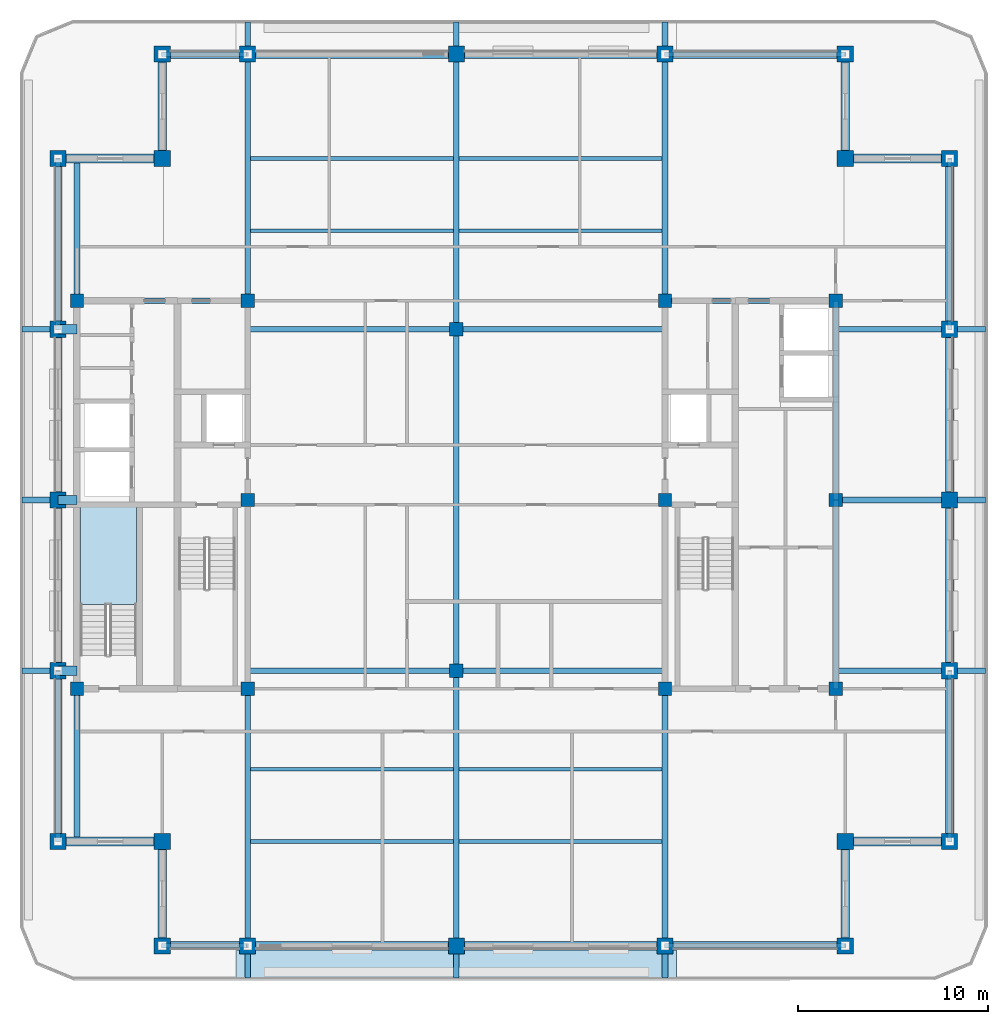
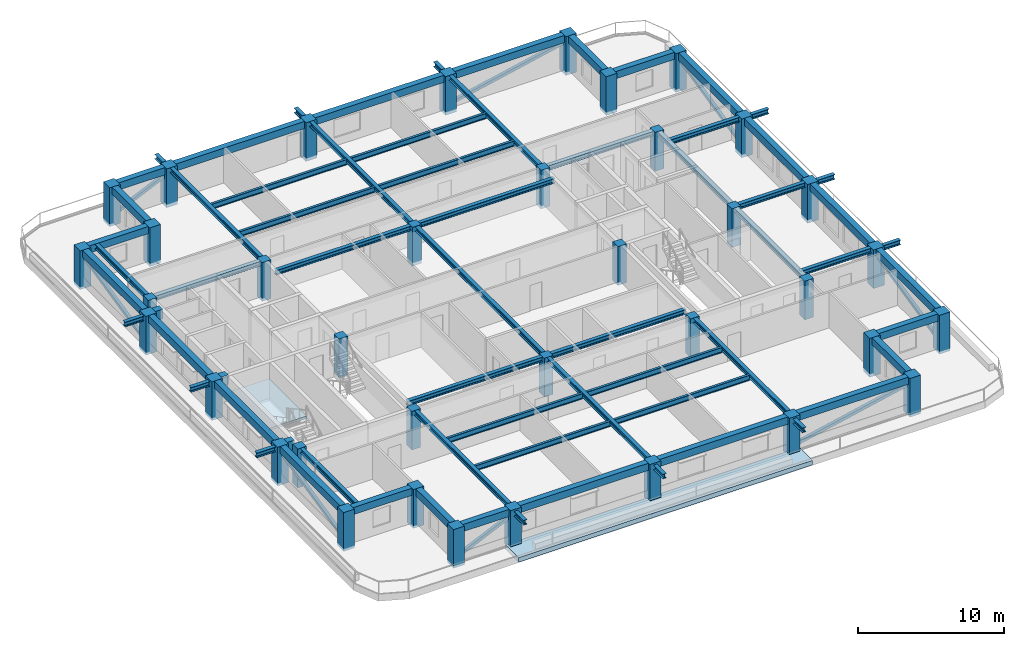
# One storey, part 1 of 11: 67 beams, 37 columns, 8 members, 2 slabs, 1 element without a shape of its own.
"""IFC4 building model written with IfcOpenShell, lengths in metres."""

import ifcopenshell
import ifcopenshell.guid

model = None  # the IFC model being written
_history = None  # IfcOwnerHistory: only IFC2X3 demands one
_inside = {}  # id of a spatial element -> (the spatial element, [elements in it])
_under = {}  # id of a project, library or spatial element -> (it, [spatial elements below it])
_declared = {}  # id of a project -> (the project, [libraries it declares])
_typed = {}  # id of a type object -> (the type object, [elements of that type])
_made_of = {}  # id of a material, layer set ... -> (it, [elements and type objects made of it])


def new_model(schema):
    """Start an empty IFC model of exactly this schema.

    Asked for "IFC4X3", IfcOpenShell would pick the latest addendum, in which some entities
    have other attributes; the version numbers below select the first issue.
    IFC2X3 requires an IfcOwnerHistory on every rooted entity: one is made here for all.
    """
    global model, _history
    if schema == "IFC4X3":
        model = ifcopenshell.file(schema_version=(4, 3, 0, 0))
    else:
        model = ifcopenshell.file(schema=schema)
    _inside.clear()
    _under.clear()
    _declared.clear()
    _typed.clear()
    _made_of.clear()
    _history = None
    if model.schema == "IFC2X3":
        org = make("IfcOrganization", Name="unknown")
        user = make(
            "IfcPersonAndOrganization",
            ThePerson=make("IfcPerson", FamilyName="unknown"),
            TheOrganization=org,
        )
        app = make(
            "IfcApplication",
            ApplicationDeveloper=org,
            Version="unknown",
            ApplicationFullName="unknown",
            ApplicationIdentifier="unknown",
        )
        _history = make(
            "IfcOwnerHistory",
            OwningUser=user,
            OwningApplication=app,
            ChangeAction="ADDED",
            CreationDate=0,
        )
    return model


def make(cls, **values):
    """One entity of the class cls with the attributes given. An attribute that is None is left unset."""
    return model.create_entity(
        cls, **{name: value for name, value in values.items() if value is not None}
    )


def rooted(cls, **values):
    """An entity with a GlobalId (a new one), such as an element, a storey or a relation."""
    return make(cls, GlobalId=ifcopenshell.guid.new(), OwnerHistory=_history, **values)


def si_unit(unit_type, name, prefix=None):
    """IfcSIUnit, for example si_unit("LENGTHUNIT", "METRE", prefix="MILLI")."""
    return make("IfcSIUnit", UnitType=unit_type, Prefix=prefix, Name=name)


def assignment(units):
    """IfcUnitAssignment: the units of a project."""
    return None if units is None else make("IfcUnitAssignment", Units=units)


def point(xyz):
    """IfcCartesianPoint."""
    return None if xyz is None else make("IfcCartesianPoint", Coordinates=xyz)


def direction(xyz):
    """IfcDirection."""
    return None if xyz is None else make("IfcDirection", DirectionRatios=xyz)


def frame(location, z_axis=None, x_axis=None):
    """IfcAxis2Placement3D, a coordinate frame: its origin and axes. An axis left out is left unset."""
    return make(
        "IfcAxis2Placement3D",
        Location=point(location),
        Axis=direction(z_axis),
        RefDirection=direction(x_axis),
    )


def frame_2d(location, x_axis=None):
    """IfcAxis2Placement2D, a coordinate frame in the plane: its origin and x axis."""
    return make(
        "IfcAxis2Placement2D", Location=point(location), RefDirection=direction(x_axis)
    )


def origin():
    """The frame at (0, 0, 0) with its axes left unset."""
    return frame((0.0, 0.0, 0.0))


def origin_2d():
    """The frame at (0, 0) in the plane with its x axis left unset."""
    return frame_2d((0.0, 0.0))


def place(relative_to, where):
    """IfcLocalPlacement: puts the frame where relative to a parent placement (None: the world)."""
    return make(
        "IfcLocalPlacement", PlacementRelTo=relative_to, RelativePlacement=where
    )


def context(
    kind, dimensions, precision=None, world=None, true_north=None, identifier=None
):
    """IfcGeometricRepresentationContext, for example the 3D "Model" context."""
    return make(
        "IfcGeometricRepresentationContext",
        ContextIdentifier=identifier,
        ContextType=kind,
        CoordinateSpaceDimension=dimensions,
        Precision=precision,
        WorldCoordinateSystem=world,
        TrueNorth=true_north,
    )


def subcontext(parent, identifier, kind, view, scale=None):
    """IfcGeometricRepresentationSubContext, for example "Body" below "Model"."""
    return make(
        "IfcGeometricRepresentationSubContext",
        ContextIdentifier=identifier,
        ContextType=kind,
        ParentContext=parent,
        TargetScale=scale,
        TargetView=view,
    )


def project(units=None, contexts=None):
    """IfcProject with its units and contexts."""
    return rooted(
        "IfcProject",
        Name="project",
        RepresentationContexts=contexts,
        UnitsInContext=assignment(units),
    )


def spatial(cls, under=None, at=None, **own):
    """A site, building, storey or space (cls), placed at a placement, below another one or the project."""
    s = rooted(cls, ObjectPlacement=at, **own)
    if under is not None:
        _under.setdefault(under.id(), (under, []))[1].append(s)
    return s


def polyline(points):
    """IfcPolyline through the points."""
    return make("IfcPolyline", Points=[point(p) for p in points])


def profile(cls, at=None, kind="AREA", **sizes):
    """A parametric profile (cls). Its sizes go by their IFC names, for example OverallWidth=200.0."""
    return make(cls, ProfileType=kind, Position=at, **sizes)


def rectangle(**sizes):
    """IfcRectangleProfileDef."""
    return profile("IfcRectangleProfileDef", **sizes)


def hollow_rectangle(**sizes):
    """IfcRectangleHollowProfileDef."""
    return profile("IfcRectangleHollowProfileDef", **sizes)


def i_section(**sizes):
    """IfcIShapeProfileDef."""
    return profile("IfcIShapeProfileDef", **sizes)


def outline(outer, holes=None, kind="AREA"):
    """IfcArbitraryClosedProfileDef: a profile drawn as a closed curve; with holes, ...WithVoids."""
    if holes is None:
        return make("IfcArbitraryClosedProfileDef", ProfileType=kind, OuterCurve=outer)
    return make(
        "IfcArbitraryProfileDefWithVoids",
        ProfileType=kind,
        OuterCurve=outer,
        InnerCurves=holes,
    )


def extrude(swept, where, along, depth):
    """IfcExtrudedAreaSolid: the profile swept, set in the frame where, extruded along a direction by depth."""
    return make(
        "IfcExtrudedAreaSolid",
        SweptArea=swept,
        Position=where,
        ExtrudedDirection=direction(along),
        Depth=depth,
    )


def shape(context_of_items, identifier, shape_type, items):
    """IfcShapeRepresentation: the items that make up one representation, for example the "Body"."""
    return make(
        "IfcShapeRepresentation",
        ContextOfItems=context_of_items,
        RepresentationIdentifier=identifier,
        RepresentationType=shape_type,
        Items=items,
    )


def material(Name=None, Category=None):
    """IfcMaterial."""
    return make("IfcMaterial", Name=Name, Category=Category)


def layer(
    of_material, thickness, ventilated=None, Name=None, Category=None, Priority=None
):
    """IfcMaterialLayer: one layer of a wall or slab, of a material (None: an air gap)."""
    return make(
        "IfcMaterialLayer",
        Material=of_material,
        LayerThickness=thickness,
        IsVentilated=ventilated,
        Name=Name,
        Category=Category,
        Priority=Priority,
    )


def layer_set(layers, Name=None):
    """IfcMaterialLayerSet."""
    return make("IfcMaterialLayerSet", MaterialLayers=layers, LayerSetName=Name)


def material_profile(
    of_material, cross_section, Name=None, Category=None, Priority=None
):
    """IfcMaterialProfile: a cross section and its material."""
    return make(
        "IfcMaterialProfile",
        Name=Name,
        Material=of_material,
        Profile=cross_section,
        Priority=Priority,
        Category=Category,
    )


def profile_set(profiles, Name=None, composite=None):
    """IfcMaterialProfileSet."""
    return make(
        "IfcMaterialProfileSet",
        Name=Name,
        MaterialProfiles=profiles,
        CompositeProfile=composite,
    )


def made_of(thing, what):
    """Note that an element or type object is made of a material, layer set ...; save() writes the relation."""
    if what is not None:
        _made_of.setdefault(what.id(), (what, []))[1].append(thing)
    return thing


def type_object(cls, material=None, **own):
    """A type object (cls), such as IfcWallType, which elements share."""
    return made_of(rooted(cls, **own), material)


def element(
    cls,
    number,
    at=None,
    inside=None,
    cuts=None,
    type_object=None,
    material=None,
    context=None,
    identifier="Body",
    shape_type=None,
    held_by="IfcProductDefinitionShape",
    body=None,
    shapes=None,
    **own,
):
    """One element of the class cls, such as IfcWall. Its Tag is "e" and its number.

    at: its placement. inside: the storey or other place that contains it. cuts: it is an
    opening in that element (IfcRelVoidsElement). A single representation is given by context,
    identifier, shape_type and body (its items); several are given by shapes. held_by: the class
    of the entity that holds the representations. save() writes the other relations.
    """
    e = rooted(cls, Tag="e%d" % number, ObjectPlacement=at, **own)
    if body is not None:
        shapes = [shape(context, identifier, shape_type, body)]
    if shapes is not None:
        e.Representation = make(held_by, Representations=shapes)
    if inside is not None:
        _inside.setdefault(inside.id(), (inside, []))[1].append(e)
    if cuts is not None:
        rooted(
            "IfcRelVoidsElement", RelatingBuildingElement=cuts, RelatedOpeningElement=e
        )
    if type_object is not None:
        _typed.setdefault(type_object.id(), (type_object, []))[1].append(e)
    return made_of(e, material)


def aggregate(whole, parts):
    """IfcRelAggregates: a whole, such as a stair, and the parts it consists of."""
    return rooted("IfcRelAggregates", RelatingObject=whole, RelatedObjects=parts)


def save(model, path):
    """Write the relations noted so far, then the file.

    IfcRelAggregates (storeys below a building ...), IfcRelContainedInSpatialStructure (elements
    in a storey), IfcRelDefinesByType, IfcRelAssociatesMaterial and IfcRelDeclares: one each for
    every whole, place, type object, material and project.
    """
    for whole, parts in _under.values():
        aggregate(whole, parts)
    for where, things in _inside.values():
        rooted(
            "IfcRelContainedInSpatialStructure",
            RelatedElements=things,
            RelatingStructure=where,
        )
    for kind, things in _typed.values():
        rooted("IfcRelDefinesByType", RelatedObjects=things, RelatingType=kind)
    for what, things in _made_of.values():
        rooted("IfcRelAssociatesMaterial", RelatedObjects=things, RelatingMaterial=what)
    for by, libraries in _declared.values():
        rooted("IfcRelDeclares", RelatingContext=by, RelatedDefinitions=libraries)
    model.write(path)


model = new_model("IFC4")

# Units and contexts
model_context = context("Model", 3, precision=1e-05, world=origin(), true_north=direction((0.0, 1.0)))
body_context = subcontext(model_context, "Body", "Model", "MODEL_VIEW")
ifc_project = project(units=[si_unit("LENGTHUNIT", "METRE"), si_unit("AREAUNIT", "SQUARE_METRE"), si_unit("VOLUMEUNIT", "CUBIC_METRE"), si_unit("PLANEANGLEUNIT", "RADIAN"), si_unit("MASSUNIT", "GRAM", prefix="KILO")], contexts=[model_context])

# Site, building, storey
site_placement = place(None, origin())
site = spatial("IfcSite", under=ifc_project, at=site_placement, CompositionType="ELEMENT")
building_placement = place(site_placement, origin())
building = spatial("IfcBuilding", under=site, at=building_placement, Name="Zulmaris Gate Convention Tower", CompositionType="ELEMENT")
storey_placement = place(building_placement, frame((0.0, 0.0, 230.050048828125)))
storey = spatial("IfcBuildingStorey", under=building, at=storey_placement, Name="L60", CompositionType="ELEMENT", Elevation=230.050048828125)

# Columns
ifc_material_1 = material(Name="Concrete C50/60", Category="concrete")
ifc_material_profile_1 = material_profile(ifc_material_1, rectangle(XDim=0.699951171875, YDim=0.699951171875, at=origin_2d()), Name="RC COL 700x700")
ifc_profile_set_1 = profile_set([ifc_material_profile_1], Name="Concrete C50/60")
column_type_1 = type_object("IfcColumnType", Name="COL-RC700", PredefinedType="COLUMN", material=ifc_profile_set_1)
for number, where, z_axis, x_axis, name in (
    (1, (-20.0, -9.949951171875, -0.25), (0.0, 0.0, 1.0), (1.0, 0.0, 0.0), "L60 Column IN--20.00_-9.95"),
    (2, (-20.0, 10.5, -0.25), (0.0, 0.0, 1.0), (1.0, 0.0, 0.0), "L60 Column IN--20.00_+10.50"),
    (3, (-11.0, -9.949951171875, -0.25), (0.0, 0.0, 1.0), (1.0, 0.0, 0.0), "L60 Column IN--11.00_-9.95"),
    (4, (-11.0, 0.0, -0.25), (0.0, 0.0, 1.0), (1.0, 0.0, 0.0), "L60 Column IN--11.00_+0.00"),
    (5, (-11.0, 10.5, -0.25), (0.0, 0.0, 1.0), (1.0, 0.0, 0.0), "L60 Column IN--11.00_+10.50"),
    (6, (11.0, -9.949951171875, -0.25), (0.0, 0.0, 1.0), (1.0, 0.0, 0.0), "L60 Column IN-+11.00_-9.95"),
    (7, (11.0, 0.0, -0.25), (0.0, 0.0, 1.0), (1.0, 0.0, 0.0), "L60 Column IN-+11.00_+0.00"),
    (8, (11.0, 10.5, -0.25), (0.0, 0.0, 1.0), (1.0, 0.0, 0.0), "L60 Column IN-+11.00_+10.50"),
    (9, (20.0, -9.949951171875, -0.25), (0.0, 0.0, 1.0), (1.0, 0.0, 0.0), "L60 Column IN-+20.00_-9.95"),
    (10, (20.0, 10.5, -0.25), (0.0, 0.0, 1.0), (1.0, 0.0, 0.0), "L60 Column IN-+20.00_+10.50"),
    (11, (0.0, -9.0, -0.25), (0.0, 0.0, 1.0), (1.0, 0.0, 0.0), "L60 Column IN-+0.00_-9.00"),
    (12, (0.0, 9.0, -0.25), (0.0, 0.0, 1.0), (1.0, 0.0, 0.0), "L60 Column IN-+0.00_+9.00"),
    (13, (20.0, 0.0, -0.25), (0.0, 0.0, 1.0), (1.0, 0.0, 0.0), "L60 Column IN-+20.00_+0.00"),
):
    element("IfcColumn", number, at=place(storey_placement, frame(where, z_axis=z_axis, x_axis=x_axis)), inside=storey, type_object=column_type_1, Name=name, PredefinedType="COLUMN", context=body_context, shape_type="SweptSolid", body=[
        extrude(rectangle(XDim=0.699951171875, YDim=0.699951171875, at=origin_2d()), origin(), (0.0, 0.0, 1.0), 3.22998046875),
    ])
ifc_material_2 = material(Name="Concrete C60/75", Category="concrete")
ifc_material_profile_2 = material_profile(ifc_material_2, rectangle(XDim=0.85009765625, YDim=0.85009765625, at=origin_2d()), Name="RC COL 850x850")
ifc_profile_set_2 = profile_set([ifc_material_profile_2], Name="Concrete C60/75")
column_type_2 = type_object("IfcColumnType", Name="COL-RC850", PredefinedType="COLUMN", material=ifc_profile_set_2)
for number, where, z_axis, x_axis, name in (
    (14, (-15.5, -23.5, -0.25), (0.0, 0.0, 1.0), (1.0, 0.0, 0.0), "L60 Column PT--15.50_-23.50"),
    (15, (-11.0, -23.5, -0.25), (0.0, 0.0, 1.0), (1.0, 0.0, 0.0), "L60 Column PT--11.00_-23.50"),
    (16, (0.0, -23.5, -0.25), (0.0, 0.0, 1.0), (1.0, 0.0, 0.0), "L60 Column PT-+0.00_-23.50"),
    (17, (11.0, -23.5, -0.25), (0.0, 0.0, 1.0), (1.0, 0.0, 0.0), "L60 Column PT-+11.00_-23.50"),
    (18, (20.5, -23.5, -0.25), (0.0, 0.0, 1.0), (1.0, 0.0, 0.0), "L60 Column PT-+20.50_-23.50"),
    (19, (-15.5, 23.5, -0.25), (0.0, 0.0, 1.0), (1.0, 0.0, 0.0), "L60 Column PT--15.50_+23.50"),
    (20, (-11.0, 23.5, -0.25), (0.0, 0.0, 1.0), (1.0, 0.0, 0.0), "L60 Column PT--11.00_+23.50"),
    (21, (0.0, 23.5, -0.25), (0.0, 0.0, 1.0), (1.0, 0.0, 0.0), "L60 Column PT-+0.00_+23.50"),
    (22, (11.0, 23.5, -0.25), (0.0, 0.0, 1.0), (1.0, 0.0, 0.0), "L60 Column PT-+11.00_+23.50"),
    (23, (20.5, 23.5, -0.25), (0.0, 0.0, 1.0), (1.0, 0.0, 0.0), "L60 Column PT-+20.50_+23.50"),
    (24, (-21.0, -18.0, -0.25), (0.0, 0.0, 1.0), (1.0, 0.0, 0.0), "L60 Column PT--21.00_-18.00"),
    (25, (-21.0, -9.0, -0.25), (0.0, 0.0, 1.0), (1.0, 0.0, 0.0), "L60 Column PT--21.00_-9.00"),
    (26, (-21.0, 0.0, -0.25), (0.0, 0.0, 1.0), (1.0, 0.0, 0.0), "L60 Column PT--21.00_+0.00"),
    (27, (-21.0, 9.0, -0.25), (0.0, 0.0, 1.0), (1.0, 0.0, 0.0), "L60 Column PT--21.00_+9.00"),
    (28, (-21.0, 18.0, -0.25), (0.0, 0.0, 1.0), (1.0, 0.0, 0.0), "L60 Column PT--21.00_+18.00"),
    (29, (26.0, -18.0, -0.25), (0.0, 0.0, 1.0), (1.0, 0.0, 0.0), "L60 Column PT-+26.00_-18.00"),
    (30, (26.0, -9.0, -0.25), (0.0, 0.0, 1.0), (1.0, 0.0, 0.0), "L60 Column PT-+26.00_-9.00"),
    (31, (26.0, 0.0, -0.25), (0.0, 0.0, 1.0), (1.0, 0.0, 0.0), "L60 Column PT-+26.00_+0.00"),
    (32, (26.0, 9.0, -0.25), (0.0, 0.0, 1.0), (1.0, 0.0, 0.0), "L60 Column PT-+26.00_+9.00"),
    (33, (26.0, 18.0, -0.25), (0.0, 0.0, 1.0), (1.0, 0.0, 0.0), "L60 Column PT-+26.00_+18.00"),
    (34, (-15.5, -18.0, -0.25), (0.0, 0.0, 1.0), (1.0, 0.0, 0.0), "L60 Column PT--15.50_-18.00"),
    (35, (20.5, -18.0, -0.25), (0.0, 0.0, 1.0), (1.0, 0.0, 0.0), "L60 Column PT-+20.50_-18.00"),
    (36, (20.5, 18.0, -0.25), (0.0, 0.0, 1.0), (1.0, 0.0, 0.0), "L60 Column PT-+20.50_+18.00"),
    (37, (-15.5, 18.0, -0.25), (0.0, 0.0, 1.0), (1.0, 0.0, 0.0), "L60 Column PT--15.50_+18.00"),
):
    element("IfcColumn", number, at=place(storey_placement, frame(where, z_axis=z_axis, x_axis=x_axis)), inside=storey, type_object=column_type_2, Name=name, PredefinedType="COLUMN", context=body_context, shape_type="SweptSolid", body=[
        extrude(rectangle(XDim=0.85009765625, YDim=0.85009765625, at=origin_2d()), origin(), (0.0, 0.0, 1.0), 3.22998046875),
    ])

# Beams
ifc_material_3 = material(Name="Steel S355", Category="steel")
ifc_material_profile_3 = material_profile(ifc_material_3, i_section(OverallWidth=0.300048828125, OverallDepth=0.39990234375, WebThickness=0.013427734375, FlangeThickness=0.02392578125, FilletRadius=0.027099609375, at=origin_2d()), Name="HEB 400")
ifc_profile_set_3 = profile_set([ifc_material_profile_3], Name="Steel S355")
beam_type_1 = type_object("IfcBeamType", Name="BM-HEB400", PredefinedType="BEAM", material=ifc_profile_set_3)
for number, where, z_axis, x_axis, name in (
    (38, (-11.0, -25.199951171875, 2.639892578125), (0.0, 1.0, 0.0), (-1.0, 0.0, 0.0), "L60 Beam TBRK-L60-S--11"),
    (39, (-11.0, 23.5, 2.639892578125), (0.0, 1.0, 0.0), (-1.0, 0.0, 0.0), "L60 Beam TBRK-L60-N--11"),
    (40, (0.0, -25.199951171875, 2.639892578125), (0.0, 1.0, 0.0), (-1.0, 0.0, 0.0), "L60 Beam TBRK-L60-S-+0"),
    (41, (0.0, 23.5, 2.639892578125), (0.0, 1.0, 0.0), (-1.0, 0.0, 0.0), "L60 Beam TBRK-L60-N-+0"),
    (42, (11.0, -25.199951171875, 2.639892578125), (0.0, 1.0, 0.0), (-1.0, 0.0, 0.0), "L60 Beam TBRK-L60-S-+11"),
    (43, (11.0, 23.5, 2.639892578125), (0.0, 1.0, 0.0), (-1.0, 0.0, 0.0), "L60 Beam TBRK-L60-N-+11"),
):
    element("IfcBeam", number, at=place(storey_placement, frame(where, z_axis=z_axis, x_axis=x_axis)), inside=storey, type_object=beam_type_1, Name=name, PredefinedType="BEAM", context=body_context, shape_type="SweptSolid", body=[
        extrude(i_section(OverallWidth=0.300048828125, OverallDepth=0.39990234375, WebThickness=0.013427734375, FlangeThickness=0.02392578125, FilletRadius=0.027099609375, at=origin_2d()), origin(), (0.0, 0.0, 1.0), 1.699951171875),
    ])
for number, where, z_axis, x_axis, name in (
    (44, (-22.89990234375, -9.0, 2.639892578125), (1.0, 0.0, 0.0), (0.0, 1.0, 0.0), "L60 Beam TBRK-L60-W--9"),
    (45, (26.0, -9.0, 2.639892578125), (1.0, 0.0, 0.0), (0.0, 1.0, 0.0), "L60 Beam TBRK-L60-E--9"),
    (46, (-22.89990234375, 0.0, 2.639892578125), (1.0, 0.0, 0.0), (0.0, 1.0, 0.0), "L60 Beam TBRK-L60-W-+0"),
    (47, (26.0, 0.0, 2.639892578125), (1.0, 0.0, 0.0), (0.0, 1.0, 0.0), "L60 Beam TBRK-L60-E-+0"),
    (48, (-22.89990234375, 9.0, 2.639892578125), (1.0, 0.0, 0.0), (0.0, 1.0, 0.0), "L60 Beam TBRK-L60-W-+9"),
    (49, (26.0, 9.0, 2.639892578125), (1.0, 0.0, 0.0), (0.0, 1.0, 0.0), "L60 Beam TBRK-L60-E-+9"),
):
    element("IfcBeam", number, at=place(storey_placement, frame(where, z_axis=z_axis, x_axis=x_axis)), inside=storey, type_object=beam_type_1, Name=name, PredefinedType="BEAM", context=body_context, shape_type="SweptSolid", body=[
        extrude(i_section(OverallWidth=0.300048828125, OverallDepth=0.39990234375, WebThickness=0.013427734375, FlangeThickness=0.02392578125, FilletRadius=0.027099609375, at=origin_2d()), origin(), (0.0, 0.0, 1.0), 1.89990234375),
    ])
for number, where, z_axis, x_axis, name in (
    (50, (-11.0, -9.0, 2.77783203125), (1.0, 0.0, 0.0), (0.0, 1.0, 0.0), "L60 Beam BM-L60-G01"),
    (51, (0.0, -9.0, 2.77783203125), (1.0, 0.0, 0.0), (0.0, 1.0, 0.0), "L60 Beam BM-L60-G02"),
    (52, (-11.0, 9.0, 2.77783203125), (1.0, 0.0, 0.0), (0.0, 1.0, 0.0), "L60 Beam BM-L60-G03"),
    (53, (0.0, 9.0, 2.77783203125), (1.0, 0.0, 0.0), (0.0, 1.0, 0.0), "L60 Beam BM-L60-G04"),
):
    element("IfcBeam", number, at=place(storey_placement, frame(where, z_axis=z_axis, x_axis=x_axis)), inside=storey, type_object=beam_type_1, Name=name, PredefinedType="BEAM", context=body_context, shape_type="SweptSolid", body=[
        extrude(i_section(OverallWidth=0.300048828125, OverallDepth=0.39990234375, WebThickness=0.013427734375, FlangeThickness=0.02392578125, FilletRadius=0.027099609375, at=origin_2d()), origin(), (0.0, 0.0, 1.0), 11.0),
    ])
beam_1_placement = place(storey_placement, frame((0.0, -23.5, 2.77783203125), z_axis=(0.0, 1.0, 0.0), x_axis=(-1.0, 0.0, 0.0)))
element("IfcBeam", 54, at=beam_1_placement, inside=storey, type_object=beam_type_1, Name="L60 Beam BM-L60-G05", PredefinedType="BEAM", context=body_context, shape_type="SweptSolid", body=[
    extrude(i_section(OverallWidth=0.300048828125, OverallDepth=0.39990234375, WebThickness=0.013427734375, FlangeThickness=0.02392578125, FilletRadius=0.027099609375, at=origin_2d()), origin(), (0.0, 0.0, 1.0), 14.5),
])
beam_2_placement = place(storey_placement, frame((0.0, -9.0, 2.77783203125), z_axis=(0.0, 1.0, 0.0), x_axis=(-1.0, 0.0, 0.0)))
element("IfcBeam", 55, at=beam_2_placement, inside=storey, type_object=beam_type_1, Name="L60 Beam BM-L60-G06", PredefinedType="BEAM", context=body_context, shape_type="SweptSolid", body=[
    extrude(i_section(OverallWidth=0.300048828125, OverallDepth=0.39990234375, WebThickness=0.013427734375, FlangeThickness=0.02392578125, FilletRadius=0.027099609375, at=origin_2d()), origin(), (0.0, 0.0, 1.0), 18.0),
])
beam_3_placement = place(storey_placement, frame((0.0, 9.0, 2.77783203125), z_axis=(0.0, 1.0, 0.0), x_axis=(-1.0, 0.0, 0.0)))
element("IfcBeam", 56, at=beam_3_placement, inside=storey, type_object=beam_type_1, Name="L60 Beam BM-L60-G07", PredefinedType="BEAM", context=body_context, shape_type="SweptSolid", body=[
    extrude(i_section(OverallWidth=0.300048828125, OverallDepth=0.39990234375, WebThickness=0.013427734375, FlangeThickness=0.02392578125, FilletRadius=0.027099609375, at=origin_2d()), origin(), (0.0, 0.0, 1.0), 14.5),
])
beam_4_placement = place(storey_placement, frame((-11.0, -23.5, 2.77783203125), z_axis=(0.0, 1.0, 0.0), x_axis=(-1.0, 0.0, 0.0)))
element("IfcBeam", 57, at=beam_4_placement, inside=storey, type_object=beam_type_1, Name="L60 Beam BM-L60-G08", PredefinedType="BEAM", context=body_context, shape_type="SweptSolid", body=[
    extrude(i_section(OverallWidth=0.300048828125, OverallDepth=0.39990234375, WebThickness=0.013427734375, FlangeThickness=0.02392578125, FilletRadius=0.027099609375, at=origin_2d()), origin(), (0.0, 0.0, 1.0), 13.550048828125),
])
beam_5_placement = place(storey_placement, frame((-11.0, 10.5, 2.77783203125), z_axis=(0.0, 1.0, 0.0), x_axis=(-1.0, 0.0, 0.0)))
element("IfcBeam", 58, at=beam_5_placement, inside=storey, type_object=beam_type_1, Name="L60 Beam BM-L60-G09", PredefinedType="BEAM", context=body_context, shape_type="SweptSolid", body=[
    extrude(i_section(OverallWidth=0.300048828125, OverallDepth=0.39990234375, WebThickness=0.013427734375, FlangeThickness=0.02392578125, FilletRadius=0.027099609375, at=origin_2d()), origin(), (0.0, 0.0, 1.0), 13.0),
])
beam_6_placement = place(storey_placement, frame((11.0, -23.5, 2.77783203125), z_axis=(0.0, 1.0, 0.0), x_axis=(-1.0, 0.0, 0.0)))
element("IfcBeam", 59, at=beam_6_placement, inside=storey, type_object=beam_type_1, Name="L60 Beam BM-L60-G10", PredefinedType="BEAM", context=body_context, shape_type="SweptSolid", body=[
    extrude(i_section(OverallWidth=0.300048828125, OverallDepth=0.39990234375, WebThickness=0.013427734375, FlangeThickness=0.02392578125, FilletRadius=0.027099609375, at=origin_2d()), origin(), (0.0, 0.0, 1.0), 13.550048828125),
])
beam_7_placement = place(storey_placement, frame((11.0, 10.5, 2.77783203125), z_axis=(0.0, 1.0, 0.0), x_axis=(-1.0, 0.0, 0.0)))
element("IfcBeam", 60, at=beam_7_placement, inside=storey, type_object=beam_type_1, Name="L60 Beam BM-L60-G11", PredefinedType="BEAM", context=body_context, shape_type="SweptSolid", body=[
    extrude(i_section(OverallWidth=0.300048828125, OverallDepth=0.39990234375, WebThickness=0.013427734375, FlangeThickness=0.02392578125, FilletRadius=0.027099609375, at=origin_2d()), origin(), (0.0, 0.0, 1.0), 13.0),
])
beam_8_placement = place(storey_placement, frame((-20.0, -18.0, 2.77783203125), z_axis=(0.0, 1.0, 0.0), x_axis=(-1.0, 0.0, 0.0)))
element("IfcBeam", 61, at=beam_8_placement, inside=storey, type_object=beam_type_1, Name="L60 Beam BM-L60-G12", PredefinedType="BEAM", context=body_context, shape_type="SweptSolid", body=[
    extrude(i_section(OverallWidth=0.300048828125, OverallDepth=0.39990234375, WebThickness=0.013427734375, FlangeThickness=0.02392578125, FilletRadius=0.027099609375, at=origin_2d()), origin(), (0.0, 0.0, 1.0), 8.050048828125),
])
beam_9_placement = place(storey_placement, frame((-20.0, 10.5, 2.77783203125), z_axis=(0.0, 1.0, 0.0), x_axis=(-1.0, 0.0, 0.0)))
element("IfcBeam", 62, at=beam_9_placement, inside=storey, type_object=beam_type_1, Name="L60 Beam BM-L60-G13", PredefinedType="BEAM", context=body_context, shape_type="SweptSolid", body=[
    extrude(i_section(OverallWidth=0.300048828125, OverallDepth=0.39990234375, WebThickness=0.013427734375, FlangeThickness=0.02392578125, FilletRadius=0.027099609375, at=origin_2d()), origin(), (0.0, 0.0, 1.0), 7.5),
])
for number, where, z_axis, x_axis, name in (
    (63, (20.0, -9.0, 2.77783203125), (1.0, 0.0, 0.0), (0.0, 1.0, 0.0), "L60 Beam BM-L60-G19"),
    (64, (20.0, 0.0, 2.77783203125), (1.0, 0.0, 0.0), (0.0, 1.0, 0.0), "L60 Beam BM-L60-G20"),
    (65, (20.0, 9.0, 2.77783203125), (1.0, 0.0, 0.0), (0.0, 1.0, 0.0), "L60 Beam BM-L60-G21"),
):
    element("IfcBeam", number, at=place(storey_placement, frame(where, z_axis=z_axis, x_axis=x_axis)), inside=storey, type_object=beam_type_1, Name=name, PredefinedType="BEAM", context=body_context, shape_type="SweptSolid", body=[
        extrude(i_section(OverallWidth=0.300048828125, OverallDepth=0.39990234375, WebThickness=0.013427734375, FlangeThickness=0.02392578125, FilletRadius=0.027099609375, at=origin_2d()), origin(), (0.0, 0.0, 1.0), 6.0),
    ])
for number, where, z_axis, x_axis, name in (
    (66, (-20.0, 10.5, 2.77783203125), (1.0, 0.0, 0.0), (0.0, 1.0, 0.0), "L60 Beam BM-L60-G23"),
    (67, (11.0, 10.5, 2.77783203125), (1.0, 0.0, 0.0), (0.0, 1.0, 0.0), "L60 Beam BM-L60-G25"),
):
    element("IfcBeam", number, at=place(storey_placement, frame(where, z_axis=z_axis, x_axis=x_axis)), inside=storey, type_object=beam_type_1, Name=name, PredefinedType="BEAM", context=body_context, shape_type="SweptSolid", body=[
        extrude(i_section(OverallWidth=0.300048828125, OverallDepth=0.39990234375, WebThickness=0.013427734375, FlangeThickness=0.02392578125, FilletRadius=0.027099609375, at=origin_2d()), origin(), (0.0, 0.0, 1.0), 9.0),
    ])
beam_10_placement = place(storey_placement, frame((20.0, -9.949951171875, 2.77783203125), z_axis=(0.0, 1.0, 0.0), x_axis=(-1.0, 0.0, 0.0)))
element("IfcBeam", 68, at=beam_10_placement, inside=storey, type_object=beam_type_1, Name="L60 Beam BM-L60-G28", PredefinedType="BEAM", context=body_context, shape_type="SweptSolid", body=[
    extrude(i_section(OverallWidth=0.300048828125, OverallDepth=0.39990234375, WebThickness=0.013427734375, FlangeThickness=0.02392578125, FilletRadius=0.027099609375, at=origin_2d()), origin(), (0.0, 0.0, 1.0), 9.949951171875),
])
beam_11_placement = place(storey_placement, frame((20.0, 0.0, 2.77783203125), z_axis=(0.0, 1.0, 0.0), x_axis=(-1.0, 0.0, 0.0)))
element("IfcBeam", 69, at=beam_11_placement, inside=storey, type_object=beam_type_1, Name="L60 Beam BM-L60-G29", PredefinedType="BEAM", context=body_context, shape_type="SweptSolid", body=[
    extrude(i_section(OverallWidth=0.300048828125, OverallDepth=0.39990234375, WebThickness=0.013427734375, FlangeThickness=0.02392578125, FilletRadius=0.027099609375, at=origin_2d()), origin(), (0.0, 0.0, 1.0), 10.5),
])
ifc_material_profile_4 = material_profile(ifc_material_1, rectangle(XDim=0.5, YDim=0.800048828125, at=origin_2d()), Name="RC BEAM 500x800")
ifc_profile_set_4 = profile_set([ifc_material_profile_4], Name="Concrete C50/60")
beam_type_2 = type_object("IfcBeamType", Name="BM-RC500x800", PredefinedType="BEAM", material=ifc_profile_set_4)
for number, where, z_axis, x_axis, name in (
    (70, (-21.0, -9.0, 2.579833984375), (1.0, 0.0, 0.0), (0.0, 1.0, 0.0), "L60 Beam BM-L60-G16"),
    (71, (-21.0, 0.0, 2.579833984375), (1.0, 0.0, 0.0), (0.0, 1.0, 0.0), "L60 Beam BM-L60-G17"),
    (72, (-21.0, 9.0, 2.579833984375), (1.0, 0.0, 0.0), (0.0, 1.0, 0.0), "L60 Beam BM-L60-G18"),
):
    element("IfcBeam", number, at=place(storey_placement, frame(where, z_axis=z_axis, x_axis=x_axis)), inside=storey, type_object=beam_type_2, Name=name, PredefinedType="BEAM", context=body_context, shape_type="SweptSolid", body=[
        extrude(rectangle(XDim=0.5, YDim=0.800048828125, at=origin_2d()), origin(), (0.0, 0.0, 1.0), 1.0),
    ])
ifc_material_4 = material(Name="Precast concrete C50/60", Category="concrete")
ifc_material_profile_5 = material_profile(ifc_material_4, rectangle(XDim=0.449951171875, YDim=0.60009765625, at=origin_2d()), Name="RC SPANDREL 450x600")
ifc_profile_set_5 = profile_set([ifc_material_profile_5], Name="Precast concrete C50/60")
beam_type_3 = type_object("IfcBeamType", Name="BM-SP450x600", PredefinedType="SPANDREL", material=ifc_profile_set_5)
beam_12_placement = place(storey_placement, frame((-15.5, -23.5, 2.679931640625), z_axis=(1.0, 0.0, 0.0), x_axis=(0.0, 1.0, 0.0)))
element("IfcBeam", 73, at=beam_12_placement, inside=storey, type_object=beam_type_3, Name="L60 Spandrel SP-L60-01", PredefinedType="SPANDREL", context=body_context, shape_type="SweptSolid", body=[
    extrude(rectangle(XDim=0.449951171875, YDim=0.60009765625, at=origin_2d()), origin(), (0.0, 0.0, 1.0), 4.5),
])
for number, where, z_axis, x_axis, name in (
    (74, (-11.0, -23.5, 2.679931640625), (1.0, 0.0, 0.0), (0.0, 1.0, 0.0), "L60 Spandrel SP-L60-02"),
    (75, (0.0, -23.5, 2.679931640625), (1.0, 0.0, 0.0), (0.0, 1.0, 0.0), "L60 Spandrel SP-L60-03"),
):
    element("IfcBeam", number, at=place(storey_placement, frame(where, z_axis=z_axis, x_axis=x_axis)), inside=storey, type_object=beam_type_3, Name=name, PredefinedType="SPANDREL", context=body_context, shape_type="SweptSolid", body=[
        extrude(rectangle(XDim=0.449951171875, YDim=0.60009765625, at=origin_2d()), origin(), (0.0, 0.0, 1.0), 11.0),
    ])
beam_13_placement = place(storey_placement, frame((11.0, -23.5, 2.679931640625), z_axis=(1.0, 0.0, 0.0), x_axis=(0.0, 1.0, 0.0)))
element("IfcBeam", 76, at=beam_13_placement, inside=storey, type_object=beam_type_3, Name="L60 Spandrel SP-L60-04", PredefinedType="SPANDREL", context=body_context, shape_type="SweptSolid", body=[
    extrude(rectangle(XDim=0.449951171875, YDim=0.60009765625, at=origin_2d()), origin(), (0.0, 0.0, 1.0), 9.5),
])
for number, where, z_axis, x_axis, name in (
    (77, (20.5, -23.5, 2.679931640625), (0.0, 1.0, 0.0), (-1.0, 0.0, 0.0), "L60 Spandrel SP-L60-05"),
    (78, (20.5, -18.0, 2.679931640625), (1.0, 0.0, 0.0), (0.0, 1.0, 0.0), "L60 Spandrel SP-L60-06"),
):
    element("IfcBeam", number, at=place(storey_placement, frame(where, z_axis=z_axis, x_axis=x_axis)), inside=storey, type_object=beam_type_3, Name=name, PredefinedType="SPANDREL", context=body_context, shape_type="SweptSolid", body=[
        extrude(rectangle(XDim=0.449951171875, YDim=0.60009765625, at=origin_2d()), origin(), (0.0, 0.0, 1.0), 5.5),
    ])
for number, where, z_axis, x_axis, name in (
    (79, (26.0, -18.0, 2.679931640625), (0.0, 1.0, 0.0), (-1.0, 0.0, 0.0), "L60 Spandrel SP-L60-07"),
    (80, (26.0, -9.0, 2.679931640625), (0.0, 1.0, 0.0), (-1.0, 0.0, 0.0), "L60 Spandrel SP-L60-08"),
    (81, (26.0, 0.0, 2.679931640625), (0.0, 1.0, 0.0), (-1.0, 0.0, 0.0), "L60 Spandrel SP-L60-09"),
    (82, (26.0, 9.0, 2.679931640625), (0.0, 1.0, 0.0), (-1.0, 0.0, 0.0), "L60 Spandrel SP-L60-10"),
):
    element("IfcBeam", number, at=place(storey_placement, frame(where, z_axis=z_axis, x_axis=x_axis)), inside=storey, type_object=beam_type_3, Name=name, PredefinedType="SPANDREL", context=body_context, shape_type="SweptSolid", body=[
        extrude(rectangle(XDim=0.449951171875, YDim=0.60009765625, at=origin_2d()), origin(), (0.0, 0.0, 1.0), 9.0),
    ])
for number, where, z_axis, x_axis, name in (
    (83, (26.0, 18.0, 2.679931640625), (-1.0, 0.0, 0.0), (0.0, -1.0, 0.0), "L60 Spandrel SP-L60-11"),
    (84, (20.5, 18.0, 2.679931640625), (0.0, 1.0, 0.0), (-1.0, 0.0, 0.0), "L60 Spandrel SP-L60-12"),
):
    element("IfcBeam", number, at=place(storey_placement, frame(where, z_axis=z_axis, x_axis=x_axis)), inside=storey, type_object=beam_type_3, Name=name, PredefinedType="SPANDREL", context=body_context, shape_type="SweptSolid", body=[
        extrude(rectangle(XDim=0.449951171875, YDim=0.60009765625, at=origin_2d()), origin(), (0.0, 0.0, 1.0), 5.5),
    ])
beam_14_placement = place(storey_placement, frame((20.5, 23.5, 2.679931640625), z_axis=(-1.0, 0.0, 0.0), x_axis=(0.0, -1.0, 0.0)))
element("IfcBeam", 85, at=beam_14_placement, inside=storey, type_object=beam_type_3, Name="L60 Spandrel SP-L60-13", PredefinedType="SPANDREL", context=body_context, shape_type="SweptSolid", body=[
    extrude(rectangle(XDim=0.449951171875, YDim=0.60009765625, at=origin_2d()), origin(), (0.0, 0.0, 1.0), 9.5),
])
for number, where, z_axis, x_axis, name in (
    (86, (11.0, 23.5, 2.679931640625), (-1.0, 0.0, 0.0), (0.0, -1.0, 0.0), "L60 Spandrel SP-L60-14"),
    (87, (0.0, 23.5, 2.679931640625), (-1.0, 0.0, 0.0), (0.0, -1.0, 0.0), "L60 Spandrel SP-L60-15"),
):
    element("IfcBeam", number, at=place(storey_placement, frame(where, z_axis=z_axis, x_axis=x_axis)), inside=storey, type_object=beam_type_3, Name=name, PredefinedType="SPANDREL", context=body_context, shape_type="SweptSolid", body=[
        extrude(rectangle(XDim=0.449951171875, YDim=0.60009765625, at=origin_2d()), origin(), (0.0, 0.0, 1.0), 11.0),
    ])
beam_15_placement = place(storey_placement, frame((-11.0, 23.5, 2.679931640625), z_axis=(-1.0, 0.0, 0.0), x_axis=(0.0, -1.0, 0.0)))
element("IfcBeam", 88, at=beam_15_placement, inside=storey, type_object=beam_type_3, Name="L60 Spandrel SP-L60-16", PredefinedType="SPANDREL", context=body_context, shape_type="SweptSolid", body=[
    extrude(rectangle(XDim=0.449951171875, YDim=0.60009765625, at=origin_2d()), origin(), (0.0, 0.0, 1.0), 4.5),
])
for number, where, z_axis, x_axis, name in (
    (89, (-15.5, 23.5, 2.679931640625), (0.0, -1.0, 0.0), (1.0, 0.0, 0.0), "L60 Spandrel SP-L60-17"),
    (90, (-15.5, 18.0, 2.679931640625), (-1.0, 0.0, 0.0), (0.0, -1.0, 0.0), "L60 Spandrel SP-L60-18"),
):
    element("IfcBeam", number, at=place(storey_placement, frame(where, z_axis=z_axis, x_axis=x_axis)), inside=storey, type_object=beam_type_3, Name=name, PredefinedType="SPANDREL", context=body_context, shape_type="SweptSolid", body=[
        extrude(rectangle(XDim=0.449951171875, YDim=0.60009765625, at=origin_2d()), origin(), (0.0, 0.0, 1.0), 5.5),
    ])
for number, where, z_axis, x_axis, name in (
    (91, (-21.0, 18.0, 2.679931640625), (0.0, -1.0, 0.0), (1.0, 0.0, 0.0), "L60 Spandrel SP-L60-19"),
    (92, (-21.0, 9.0, 2.679931640625), (0.0, -1.0, 0.0), (1.0, 0.0, 0.0), "L60 Spandrel SP-L60-20"),
    (93, (-21.0, 0.0, 2.679931640625), (0.0, -1.0, 0.0), (1.0, 0.0, 0.0), "L60 Spandrel SP-L60-21"),
    (94, (-21.0, -9.0, 2.679931640625), (0.0, -1.0, 0.0), (1.0, 0.0, 0.0), "L60 Spandrel SP-L60-22"),
):
    element("IfcBeam", number, at=place(storey_placement, frame(where, z_axis=z_axis, x_axis=x_axis)), inside=storey, type_object=beam_type_3, Name=name, PredefinedType="SPANDREL", context=body_context, shape_type="SweptSolid", body=[
        extrude(rectangle(XDim=0.449951171875, YDim=0.60009765625, at=origin_2d()), origin(), (0.0, 0.0, 1.0), 9.0),
    ])
for number, where, z_axis, x_axis, name in (
    (95, (-21.0, -18.0, 2.679931640625), (1.0, 0.0, 0.0), (0.0, 1.0, 0.0), "L60 Spandrel SP-L60-23"),
    (96, (-15.5, -18.0, 2.679931640625), (0.0, -1.0, 0.0), (1.0, 0.0, 0.0), "L60 Spandrel SP-L60-24"),
):
    element("IfcBeam", number, at=place(storey_placement, frame(where, z_axis=z_axis, x_axis=x_axis)), inside=storey, type_object=beam_type_3, Name=name, PredefinedType="SPANDREL", context=body_context, shape_type="SweptSolid", body=[
        extrude(rectangle(XDim=0.449951171875, YDim=0.60009765625, at=origin_2d()), origin(), (0.0, 0.0, 1.0), 5.5),
    ])

# Members
ifc_material_profile_6 = material_profile(ifc_material_3, hollow_rectangle(XDim=0.25, YDim=0.25, WallThickness=0.012451171875, at=origin_2d()), Name="SHS 250x250x12.5")
ifc_profile_set_6 = profile_set([ifc_material_profile_6], Name="Steel S355")
member_type = type_object("IfcMemberType", Name="BR-SHS250", PredefinedType="BRACE", material=ifc_profile_set_6)
for number, where, z_axis, x_axis, name in (
    (97, (-21.0, -18.0, 0.300048828125), (0.0, 0.974795611755, 0.223099787771), (-1.0, 0.0, 0.0), "L60 Perimeter Tube Diagonal SW-W"),
    (98, (-21.0, 9.0, 0.300048828125), (0.0, 0.974795611755, 0.223099787771), (-1.0, 0.0, 0.0), "L60 Perimeter Tube Diagonal NW-W"),
    (99, (26.0, -18.0, 0.300048828125), (0.0, 0.974795611755, 0.223099787771), (-1.0, 0.0, 0.0), "L60 Perimeter Tube Diagonal SE-E"),
    (100, (26.0, 9.0, 0.300048828125), (0.0, 0.974795611755, 0.223099787771), (-1.0, 0.0, 0.0), "L60 Perimeter Tube Diagonal NE-E"),
):
    element("IfcMember", number, at=place(storey_placement, frame(where, z_axis=z_axis, x_axis=x_axis)), inside=storey, type_object=member_type, Name=name, PredefinedType="BRACE", context=body_context, shape_type="SweptSolid", body=[
        extrude(hollow_rectangle(XDim=0.25, YDim=0.25, WallThickness=0.012451171875, at=origin_2d()), origin(), (0.0, 0.0, 1.0), 9.232666015625),
    ])
member_1_placement = place(storey_placement, frame((-15.5, -23.5, 0.300048828125), z_axis=(0.909270246609, 0.0, 0.41620622128), x_axis=(0.0, 1.0, 0.0)))
element("IfcMember", 101, at=member_1_placement, inside=storey, type_object=member_type, Name="L60 Perimeter Tube Diagonal SW-S", PredefinedType="BRACE", context=body_context, shape_type="SweptSolid", body=[
    extrude(hollow_rectangle(XDim=0.25, YDim=0.25, WallThickness=0.012451171875, at=origin_2d()), origin(), (0.0, 0.0, 1.0), 4.948974609375),
])
member_2_placement = place(storey_placement, frame((11.0, -23.5, 0.300048828125), z_axis=(0.977291596632, 0.0, 0.211898879543), x_axis=(0.0, 1.0, 0.0)))
element("IfcMember", 102, at=member_2_placement, inside=storey, type_object=member_type, Name="L60 Perimeter Tube Diagonal SE-S", PredefinedType="BRACE", context=body_context, shape_type="SweptSolid", body=[
    extrude(hollow_rectangle(XDim=0.25, YDim=0.25, WallThickness=0.012451171875, at=origin_2d()), origin(), (0.0, 0.0, 1.0), 9.720703125),
])
member_3_placement = place(storey_placement, frame((-15.5, 23.5, 0.300048828125), z_axis=(0.909270246609, 0.0, 0.41620622128), x_axis=(0.0, 1.0, 0.0)))
element("IfcMember", 103, at=member_3_placement, inside=storey, type_object=member_type, Name="L60 Perimeter Tube Diagonal NW-N", PredefinedType="BRACE", context=body_context, shape_type="SweptSolid", body=[
    extrude(hollow_rectangle(XDim=0.25, YDim=0.25, WallThickness=0.012451171875, at=origin_2d()), origin(), (0.0, 0.0, 1.0), 4.948974609375),
])
member_4_placement = place(storey_placement, frame((11.0, 23.5, 0.300048828125), z_axis=(0.977291596632, 0.0, 0.211898879543), x_axis=(0.0, 1.0, 0.0)))
element("IfcMember", 104, at=member_4_placement, inside=storey, type_object=member_type, Name="L60 Perimeter Tube Diagonal NE-N", PredefinedType="BRACE", context=body_context, shape_type="SweptSolid", body=[
    extrude(hollow_rectangle(XDim=0.25, YDim=0.25, WallThickness=0.012451171875, at=origin_2d()), origin(), (0.0, 0.0, 1.0), 9.720703125),
])

# Beams
ifc_material_profile_7 = material_profile(ifc_material_3, i_section(OverallWidth=0.18994140625, OverallDepth=0.449951171875, WebThickness=0.009521484375, FlangeThickness=0.0146484375, FilletRadius=0.02099609375, at=origin_2d()), Name="IPE 450")
ifc_profile_set_7 = profile_set([ifc_material_profile_7], Name="Steel S355")
beam_type_4 = type_object("IfcBeamType", Name="JT-IPE450", PredefinedType="JOIST", material=ifc_profile_set_7)
for number, where, z_axis, x_axis, name in (
    (105, (-10.85009765625, -18.0, 2.7529296875), (1.0, 0.0, 0.0), (0.0, 1.0, 0.0), "L60 Joist JT-L60-CW--18.0"),
    (106, (0.14990234375, -18.0, 2.7529296875), (1.0, 0.0, 0.0), (0.0, 1.0, 0.0), "L60 Joist JT-L60-CE--18.0"),
    (107, (-10.85009765625, -14.199951171875, 2.7529296875), (1.0, 0.0, 0.0), (0.0, 1.0, 0.0), "L60 Joist JT-L60-CW--14.2"),
    (108, (0.14990234375, -14.199951171875, 2.7529296875), (1.0, 0.0, 0.0), (0.0, 1.0, 0.0), "L60 Joist JT-L60-CE--14.2"),
    (109, (-10.85009765625, 14.199951171875, 2.7529296875), (1.0, 0.0, 0.0), (0.0, 1.0, 0.0), "L60 Joist JT-L60-CW-+14.2"),
    (110, (0.14990234375, 14.199951171875, 2.7529296875), (1.0, 0.0, 0.0), (0.0, 1.0, 0.0), "L60 Joist JT-L60-CE-+14.2"),
    (111, (-10.85009765625, 18.0, 2.7529296875), (1.0, 0.0, 0.0), (0.0, 1.0, 0.0), "L60 Joist JT-L60-CW-+18.0"),
    (112, (0.14990234375, 18.0, 2.7529296875), (1.0, 0.0, 0.0), (0.0, 1.0, 0.0), "L60 Joist JT-L60-CE-+18.0"),
):
    element("IfcBeam", number, at=place(storey_placement, frame(where, z_axis=z_axis, x_axis=x_axis)), inside=storey, type_object=beam_type_4, Name=name, PredefinedType="JOIST", context=body_context, shape_type="SweptSolid", body=[
        extrude(i_section(OverallWidth=0.18994140625, OverallDepth=0.449951171875, WebThickness=0.009521484375, FlangeThickness=0.0146484375, FilletRadius=0.02099609375, at=origin_2d()), origin(), (0.0, 0.0, 1.0), 10.7001953125),
    ])

# Slab
ifc_layer_1 = layer(ifc_material_4, 0.260009765625, Name="Precast concrete C50/60")
ifc_layer_set_1 = layer_set([ifc_layer_1], Name="Precast concrete C50/60")
slab_type_1 = type_object("IfcSlabType", Name="SL-BAL-260", PredefinedType="FLOOR", material=ifc_layer_set_1)
slab_1_placement = place(storey_placement, frame((0.0, 0.0, -0.425048828125)))
element("IfcSlab", 113, at=slab_1_placement, inside=storey, type_object=slab_type_1, Name="L60 South Tree-Balcony Planter Slab", PredefinedType="FLOOR", context=body_context, shape_type="SweptSolid", body=[
    extrude(outline(polyline([(-11.597900390625, -25.300048828125), (-11.597900390625, -23.5), (11.597900390625, -23.5), (11.597900390625, -25.300048828125), (-11.597900390625, -25.300048828125)])), origin(), (0.0, 0.0, 1.0), 0.385009765625),
])

# Stair, slab
ifc_material_5 = material(Name="Concrete C45/55", Category="concrete")
stair_type = type_object("IfcStairType", Name="ST-CORE-DOGLEG", PredefinedType="HALF_TURN_STAIR", material=ifc_material_5)
stair_placement = place(storey_placement, origin())
stair = element("IfcStair", 114, at=stair_placement, inside=storey, type_object=stair_type, Name="L60 Core Exit Stair ST-3", PredefinedType="HALF_TURN_STAIR")
ifc_layer_2 = layer(ifc_material_5, 0.199951171875, Name="Concrete C45/55")
ifc_layer_set_2 = layer_set([ifc_layer_2], Name="Concrete C45/55")
slab_type_2 = type_object("IfcSlabType", Name="SL-LND-200", PredefinedType="LANDING", material=ifc_layer_set_2)
slab_2_placement = place(storey_placement, frame((0.0, 0.0, 1.4150390625)))
slab_2 = element("IfcSlab", 115, at=slab_2_placement, type_object=slab_type_2, Name="ST-3 landing 1", PredefinedType="LANDING", context=body_context, shape_type="SweptSolid", body=[
    extrude(outline(polyline([(-16.860107421875, -5.5), (-16.860107421875, -0.35009765625), (-19.820068359375, -0.35009765625), (-19.820068359375, -5.5), (-16.860107421875, -5.5)])), origin(), (0.0, 0.0, 1.0), 0.199951171875),
])
aggregate(stair, [slab_2])

save(model, "model.ifc")
